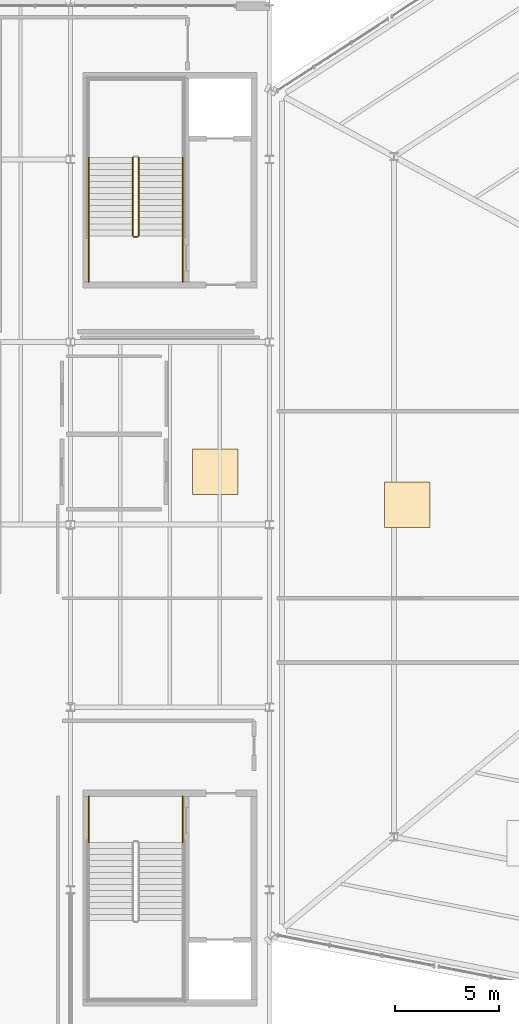
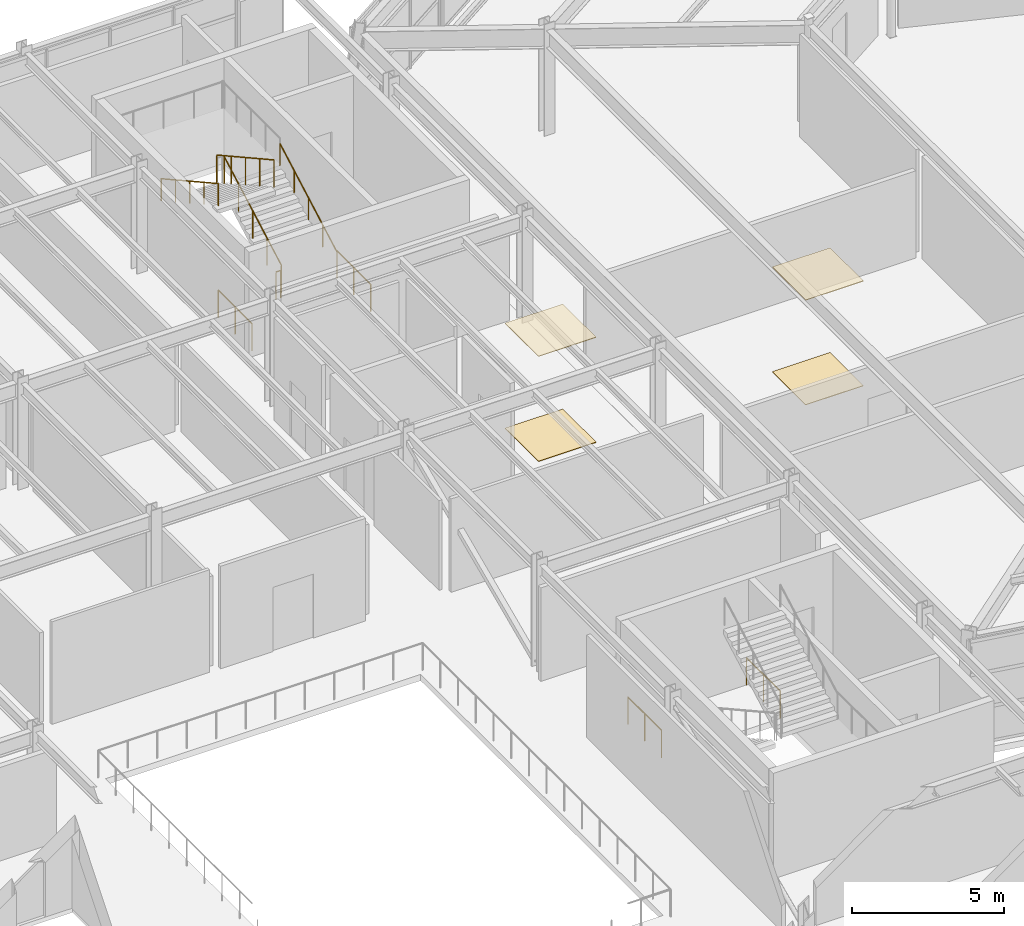
# One storey, part 74 of 77: 9 railings, 4 coverings.
"""IFC4 building model written with IfcOpenShell, lengths in metres."""

import ifcopenshell
import ifcopenshell.guid

model = None  # the IFC model being written
_history = None  # IfcOwnerHistory: only IFC2X3 demands one
_inside = {}  # id of a spatial element -> (the spatial element, [elements in it])
_under = {}  # id of a project, library or spatial element -> (it, [spatial elements below it])
_declared = {}  # id of a project -> (the project, [libraries it declares])
_typed = {}  # id of a type object -> (the type object, [elements of that type])
_made_of = {}  # id of a material, layer set ... -> (it, [elements and type objects made of it])


def new_model(schema):
    """Start an empty IFC model of exactly this schema.

    Asked for "IFC4X3", IfcOpenShell would pick the latest addendum, in which some entities
    have other attributes; the version numbers below select the first issue.
    IFC2X3 requires an IfcOwnerHistory on every rooted entity: one is made here for all.
    """
    global model, _history
    if schema == "IFC4X3":
        model = ifcopenshell.file(schema_version=(4, 3, 0, 0))
    else:
        model = ifcopenshell.file(schema=schema)
    _inside.clear()
    _under.clear()
    _declared.clear()
    _typed.clear()
    _made_of.clear()
    _history = None
    if model.schema == "IFC2X3":
        org = make("IfcOrganization", Name="unknown")
        user = make(
            "IfcPersonAndOrganization",
            ThePerson=make("IfcPerson", FamilyName="unknown"),
            TheOrganization=org,
        )
        app = make(
            "IfcApplication",
            ApplicationDeveloper=org,
            Version="unknown",
            ApplicationFullName="unknown",
            ApplicationIdentifier="unknown",
        )
        _history = make(
            "IfcOwnerHistory",
            OwningUser=user,
            OwningApplication=app,
            ChangeAction="ADDED",
            CreationDate=0,
        )
    return model


def make(cls, **values):
    """One entity of the class cls with the attributes given. An attribute that is None is left unset."""
    return model.create_entity(
        cls, **{name: value for name, value in values.items() if value is not None}
    )


def rooted(cls, **values):
    """An entity with a GlobalId (a new one), such as an element, a storey or a relation."""
    return make(cls, GlobalId=ifcopenshell.guid.new(), OwnerHistory=_history, **values)


def si_unit(unit_type, name, prefix=None):
    """IfcSIUnit, for example si_unit("LENGTHUNIT", "METRE", prefix="MILLI")."""
    return make("IfcSIUnit", UnitType=unit_type, Prefix=prefix, Name=name)


def assignment(units):
    """IfcUnitAssignment: the units of a project."""
    return None if units is None else make("IfcUnitAssignment", Units=units)


def point(xyz):
    """IfcCartesianPoint."""
    return None if xyz is None else make("IfcCartesianPoint", Coordinates=xyz)


def direction(xyz):
    """IfcDirection."""
    return None if xyz is None else make("IfcDirection", DirectionRatios=xyz)


def frame(location, z_axis=None, x_axis=None):
    """IfcAxis2Placement3D, a coordinate frame: its origin and axes. An axis left out is left unset."""
    return make(
        "IfcAxis2Placement3D",
        Location=point(location),
        Axis=direction(z_axis),
        RefDirection=direction(x_axis),
    )


def frame_2d(location, x_axis=None):
    """IfcAxis2Placement2D, a coordinate frame in the plane: its origin and x axis."""
    return make(
        "IfcAxis2Placement2D", Location=point(location), RefDirection=direction(x_axis)
    )


def origin():
    """The frame at (0, 0, 0) with its axes left unset."""
    return frame((0.0, 0.0, 0.0))


def origin_2d():
    """The frame at (0, 0) in the plane with its x axis left unset."""
    return frame_2d((0.0, 0.0))


def place(relative_to, where):
    """IfcLocalPlacement: puts the frame where relative to a parent placement (None: the world)."""
    return make(
        "IfcLocalPlacement", PlacementRelTo=relative_to, RelativePlacement=where
    )


def context(
    kind, dimensions, precision=None, world=None, true_north=None, identifier=None
):
    """IfcGeometricRepresentationContext, for example the 3D "Model" context."""
    return make(
        "IfcGeometricRepresentationContext",
        ContextIdentifier=identifier,
        ContextType=kind,
        CoordinateSpaceDimension=dimensions,
        Precision=precision,
        WorldCoordinateSystem=world,
        TrueNorth=true_north,
    )


def subcontext(parent, identifier, kind, view, scale=None):
    """IfcGeometricRepresentationSubContext, for example "Body" below "Model"."""
    return make(
        "IfcGeometricRepresentationSubContext",
        ContextIdentifier=identifier,
        ContextType=kind,
        ParentContext=parent,
        TargetScale=scale,
        TargetView=view,
    )


def project(units=None, contexts=None):
    """IfcProject with its units and contexts."""
    return rooted(
        "IfcProject",
        Name="project",
        RepresentationContexts=contexts,
        UnitsInContext=assignment(units),
    )


def spatial(cls, under=None, at=None, **own):
    """A site, building, storey or space (cls), placed at a placement, below another one or the project."""
    s = rooted(cls, ObjectPlacement=at, **own)
    if under is not None:
        _under.setdefault(under.id(), (under, []))[1].append(s)
    return s


def profile(cls, at=None, kind="AREA", **sizes):
    """A parametric profile (cls). Its sizes go by their IFC names, for example OverallWidth=200.0."""
    return make(cls, ProfileType=kind, Position=at, **sizes)


def rectangle(**sizes):
    """IfcRectangleProfileDef."""
    return profile("IfcRectangleProfileDef", **sizes)


def circle(**sizes):
    """IfcCircleProfileDef."""
    return profile("IfcCircleProfileDef", **sizes)


def extrude(swept, where, along, depth):
    """IfcExtrudedAreaSolid: the profile swept, set in the frame where, extruded along a direction by depth."""
    return make(
        "IfcExtrudedAreaSolid",
        SweptArea=swept,
        Position=where,
        ExtrudedDirection=direction(along),
        Depth=depth,
    )


def shape(context_of_items, identifier, shape_type, items):
    """IfcShapeRepresentation: the items that make up one representation, for example the "Body"."""
    return make(
        "IfcShapeRepresentation",
        ContextOfItems=context_of_items,
        RepresentationIdentifier=identifier,
        RepresentationType=shape_type,
        Items=items,
    )


def material(Name=None, Category=None):
    """IfcMaterial."""
    return make("IfcMaterial", Name=Name, Category=Category)


def layer(
    of_material, thickness, ventilated=None, Name=None, Category=None, Priority=None
):
    """IfcMaterialLayer: one layer of a wall or slab, of a material (None: an air gap)."""
    return make(
        "IfcMaterialLayer",
        Material=of_material,
        LayerThickness=thickness,
        IsVentilated=ventilated,
        Name=Name,
        Category=Category,
        Priority=Priority,
    )


def layer_set(layers, Name=None):
    """IfcMaterialLayerSet."""
    return make("IfcMaterialLayerSet", MaterialLayers=layers, LayerSetName=Name)


def made_of(thing, what):
    """Note that an element or type object is made of a material, layer set ...; save() writes the relation."""
    if what is not None:
        _made_of.setdefault(what.id(), (what, []))[1].append(thing)
    return thing


def type_object(cls, material=None, **own):
    """A type object (cls), such as IfcWallType, which elements share."""
    return made_of(rooted(cls, **own), material)


def element(
    cls,
    number,
    at=None,
    inside=None,
    cuts=None,
    type_object=None,
    material=None,
    context=None,
    identifier="Body",
    shape_type=None,
    held_by="IfcProductDefinitionShape",
    body=None,
    shapes=None,
    **own,
):
    """One element of the class cls, such as IfcWall. Its Tag is "e" and its number.

    at: its placement. inside: the storey or other place that contains it. cuts: it is an
    opening in that element (IfcRelVoidsElement). A single representation is given by context,
    identifier, shape_type and body (its items); several are given by shapes. held_by: the class
    of the entity that holds the representations. save() writes the other relations.
    """
    e = rooted(cls, Tag="e%d" % number, ObjectPlacement=at, **own)
    if body is not None:
        shapes = [shape(context, identifier, shape_type, body)]
    if shapes is not None:
        e.Representation = make(held_by, Representations=shapes)
    if inside is not None:
        _inside.setdefault(inside.id(), (inside, []))[1].append(e)
    if cuts is not None:
        rooted(
            "IfcRelVoidsElement", RelatingBuildingElement=cuts, RelatedOpeningElement=e
        )
    if type_object is not None:
        _typed.setdefault(type_object.id(), (type_object, []))[1].append(e)
    return made_of(e, material)


def aggregate(whole, parts):
    """IfcRelAggregates: a whole, such as a stair, and the parts it consists of."""
    return rooted("IfcRelAggregates", RelatingObject=whole, RelatedObjects=parts)


def save(model, path):
    """Write the relations noted so far, then the file.

    IfcRelAggregates (storeys below a building ...), IfcRelContainedInSpatialStructure (elements
    in a storey), IfcRelDefinesByType, IfcRelAssociatesMaterial and IfcRelDeclares: one each for
    every whole, place, type object, material and project.
    """
    for whole, parts in _under.values():
        aggregate(whole, parts)
    for where, things in _inside.values():
        rooted(
            "IfcRelContainedInSpatialStructure",
            RelatedElements=things,
            RelatingStructure=where,
        )
    for kind, things in _typed.values():
        rooted("IfcRelDefinesByType", RelatedObjects=things, RelatingType=kind)
    for what, things in _made_of.values():
        rooted("IfcRelAssociatesMaterial", RelatedObjects=things, RelatingMaterial=what)
    for by, libraries in _declared.values():
        rooted("IfcRelDeclares", RelatingContext=by, RelatedDefinitions=libraries)
    model.write(path)


model = new_model("IFC4")

# Units and contexts
model_context = context("Model", 3, precision=1e-05, world=origin(), true_north=direction((0.0, 1.0)))
body_context = subcontext(model_context, "Body", "Model", "MODEL_VIEW")
ifc_project = project(units=[si_unit("LENGTHUNIT", "METRE"), si_unit("AREAUNIT", "SQUARE_METRE"), si_unit("VOLUMEUNIT", "CUBIC_METRE"), si_unit("PLANEANGLEUNIT", "RADIAN"), si_unit("MASSUNIT", "GRAM", prefix="KILO")], contexts=[model_context])

# Site, building, storey
site_placement = place(None, origin())
site = spatial("IfcSite", under=ifc_project, at=site_placement, CompositionType="ELEMENT")
building_placement = place(site_placement, origin())
building = spatial("IfcBuilding", under=site, at=building_placement, Name="Sarnbrook Museum", CompositionType="ELEMENT")
storey_placement = place(building_placement, frame((0.0, 0.0, 5.60009765625)))
storey = spatial("IfcBuildingStorey", under=building, at=storey_placement, Name="L01", CompositionType="ELEMENT", Elevation=5.60009765625)

# Coverings
ifc_material_1 = material(Name="Tasmanian Oak Acoustic Timber", Category="wood")
ifc_layer_1 = layer(ifc_material_1, 0.02490234375)
ifc_layer_set_1 = layer_set([ifc_layer_1], Name="Tasmanian Oak Acoustic Timber")
covering_type_1 = type_object("IfcCoveringType", Name="Ceil_Timber25", PredefinedType="CEILING", material=ifc_layer_set_1)
for number, where, z_axis, x_axis, name in (
    (1, (125.840087890625, 84.156494140625, 4.21484375), (0.0, 0.0, 1.0), (1.0, 0.0, 0.0), "Acoustic Ceiling Baffle Panel L01-17"),
    (2, (116.580078125, 85.75, 4.224853515625), (0.0, 0.0, 1.0), (1.0, 0.0, 0.0), "Acoustic Ceiling Baffle Panel L01-23"),
):
    element("IfcCovering", number, at=place(storey_placement, frame(where, z_axis=z_axis, x_axis=x_axis)), inside=storey, type_object=covering_type_1, Name=name, PredefinedType="CEILING", context=body_context, shape_type="SweptSolid", body=[
        extrude(rectangle(XDim=2.199951171875, YDim=2.199951171875, at=origin_2d()), origin(), (0.0, 0.0, 1.0), 0.02490234375),
    ])
ifc_layer_2 = layer(ifc_material_1, 0.02197265625)
ifc_layer_set_2 = layer_set([ifc_layer_2], Name="Tasmanian Oak Acoustic Timber")
covering_type_2 = type_object("IfcCoveringType", Name="Floor_Oak22", PredefinedType="FLOORING", material=ifc_layer_set_2)
for number, where, z_axis, x_axis, name in (
    (3, (125.840087890625, 84.156494140625, 0.0), (0.0, 0.0, 1.0), (1.0, 0.0, 0.0), "Gallery Floor Finish Panel L01-17"),
    (4, (116.580078125, 85.75, 0.0), (0.0, 0.0, 1.0), (1.0, 0.0, 0.0), "Gallery Floor Finish Panel L01-23"),
):
    element("IfcCovering", number, at=place(storey_placement, frame(where, z_axis=z_axis, x_axis=x_axis)), inside=storey, type_object=covering_type_2, Name=name, PredefinedType="FLOORING", context=body_context, shape_type="SweptSolid", body=[
        extrude(rectangle(XDim=2.199951171875, YDim=2.199951171875, at=origin_2d()), origin(), (0.0, 0.0, 1.0), 0.02197265625),
    ])

# Railings
ifc_material_2 = material(Name="Brushed Stainless Steel Grade 316", Category="steel")
ifc_layer_3 = layer(ifc_material_2, 0.050048828125)
ifc_layer_set_3 = layer_set([ifc_layer_3], Name="Brushed Stainless Steel Grade 316")
railing_type_1 = type_object("IfcRailingType", Name="Guard_Int1120", PredefinedType="BALUSTRADE", material=ifc_layer_set_3)
for number, where, name in (
    (5, (110.489990234375, 70.10009765625, 0.0), "L01 ST1 stair guard 8"),
    (6, (115.010009765625, 70.10009765625, 0.0), "L01 ST1 stair guard 9"),
):
    element("IfcRailing", number, at=place(storey_placement, frame(where)), inside=storey, type_object=railing_type_1, Name=name, PredefinedType="BALUSTRADE", context=body_context, shape_type="SweptSolid", body=[
        extrude(circle(Radius=0.02392578125, at=origin_2d()), frame((0.0, 0.0, 1.09619140625), z_axis=(0.0, -1.0, 0.0), x_axis=(1.0, 0.0, 0.0)), (0.0, 0.0, 1.0), 2.22021484375),
        extrude(circle(Radius=0.02099609375, at=origin_2d()), origin(), (0.0, 0.0, 1.0), 1.072021484375),
        extrude(circle(Radius=0.02099609375, at=origin_2d()), frame((0.0, -1.110107421875, 0.0)), (0.0, 0.0, 1.0), 1.072021484375),
        extrude(circle(Radius=0.02099609375, at=origin_2d()), frame((0.0, -2.22021484375, 0.0)), (0.0, 0.0, 1.0), 1.072021484375),
    ])
railing_1_placement = place(storey_placement, frame((112.889892578125, 97.1201171875, 0.16064453125)))
element("IfcRailing", 7, at=railing_1_placement, inside=storey, type_object=railing_type_1, Name="L01 ST2 stair guard 1", PredefinedType="BALUSTRADE", context=body_context, shape_type="SweptSolid", body=[
    extrude(circle(Radius=0.02392578125, at=origin_2d()), frame((0.0, 0.0, 1.09619140625), z_axis=(0.0, 0.874645791573, 0.484762559697), x_axis=(-1.0, 0.0, 0.0)), (0.0, 0.0, 1.0), 4.31005859375),
    extrude(circle(Radius=0.02099609375, at=origin_2d()), origin(), (0.0, 0.0, 1.0), 1.072021484375),
    extrude(circle(Radius=0.02099609375, at=origin_2d()), frame((0.0, 0.9423828125, 0.5224609375)), (0.0, 0.0, 1.0), 1.072021484375),
    extrude(circle(Radius=0.02099609375, at=origin_2d()), frame((0.0, 1.884765625, 1.044677734375)), (0.0, 0.0, 1.0), 1.072021484375),
    extrude(circle(Radius=0.02099609375, at=origin_2d()), frame((0.0, 2.827392578125, 1.56689453125)), (0.0, 0.0, 1.0), 1.072021484375),
    extrude(circle(Radius=0.02099609375, at=origin_2d()), frame((0.0, 3.769775390625, 2.08935546875)), (0.0, 0.0, 1.0), 1.072021484375),
])
railing_2_placement = place(storey_placement, frame((112.610107421875, 100.889892578125, 2.41064453125)))
element("IfcRailing", 8, at=railing_2_placement, inside=storey, type_object=railing_type_1, Name="L01 ST2 stair guard 6", PredefinedType="BALUSTRADE", context=body_context, shape_type="SweptSolid", body=[
    extrude(circle(Radius=0.02392578125, at=origin_2d()), frame((0.0, 0.0, 1.09619140625), z_axis=(0.0, -0.874645791573, 0.484762559697), x_axis=(1.0, 0.0, 0.0)), (0.0, 0.0, 1.0), 4.31005859375),
    extrude(circle(Radius=0.02099609375, at=origin_2d()), origin(), (0.0, 0.0, 1.0), 1.072021484375),
    extrude(circle(Radius=0.02099609375, at=origin_2d()), frame((0.0, -0.9423828125, 0.5224609375)), (0.0, 0.0, 1.0), 1.072021484375),
    extrude(circle(Radius=0.02099609375, at=origin_2d()), frame((0.0, -1.884765625, 1.044677734375)), (0.0, 0.0, 1.0), 1.072021484375),
    extrude(circle(Radius=0.02099609375, at=origin_2d()), frame((0.0, -2.827392578125, 1.56689453125)), (0.0, 0.0, 1.0), 1.072021484375),
    extrude(circle(Radius=0.02099609375, at=origin_2d()), frame((0.0, -3.769775390625, 2.08935546875)), (0.0, 0.0, 1.0), 1.072021484375),
])
railing_3_placement = place(storey_placement, frame((112.840087890625, 97.070068359375, 0.0)))
element("IfcRailing", 9, at=railing_3_placement, inside=storey, type_object=railing_type_1, Name="L01 ST2 stair guard 7", PredefinedType="BALUSTRADE", context=body_context, shape_type="SweptSolid", body=[
    extrude(circle(Radius=0.02392578125, at=origin_2d()), frame((0.0, 0.0, 1.09619140625), z_axis=(-1.0, 0.0, 0.0), x_axis=(0.0, -1.0, 0.0)), (0.0, 0.0, 1.0), 0.18017578125),
    extrude(circle(Radius=0.02099609375, at=origin_2d()), origin(), (0.0, 0.0, 1.0), 1.072021484375),
    extrude(circle(Radius=0.02099609375, at=origin_2d()), frame((-0.18017578125, 0.0, 0.0)), (0.0, 0.0, 1.0), 1.072021484375),
])
for number, where, name in (
    (10, (115.010009765625, 94.89990234375, 0.0), "L01 ST2 stair guard 8"),
    (11, (110.489990234375, 94.89990234375, 0.0), "L01 ST2 stair guard 9"),
):
    element("IfcRailing", number, at=place(storey_placement, frame(where)), inside=storey, type_object=railing_type_1, Name=name, PredefinedType="BALUSTRADE", context=body_context, shape_type="SweptSolid", body=[
        extrude(circle(Radius=0.02392578125, at=origin_2d()), frame((0.0, 0.0, 1.09619140625), z_axis=(0.0, 1.0, 0.0), x_axis=(-1.0, 0.0, 0.0)), (0.0, 0.0, 1.0), 2.22021484375),
        extrude(circle(Radius=0.02099609375, at=origin_2d()), origin(), (0.0, 0.0, 1.0), 1.072021484375),
        extrude(circle(Radius=0.02099609375, at=origin_2d()), frame((0.0, 1.110107421875, 0.0)), (0.0, 0.0, 1.0), 1.072021484375),
        extrude(circle(Radius=0.02099609375, at=origin_2d()), frame((0.0, 2.22021484375, 0.0)), (0.0, 0.0, 1.0), 1.072021484375),
    ])
ifc_layer_4 = layer(ifc_material_2, 0.048095703125)
ifc_layer_set_4 = layer_set([ifc_layer_4], Name="Brushed Stainless Steel Grade 316")
railing_type_2 = type_object("IfcRailingType", Name="Handrail_920", PredefinedType="HANDRAIL", material=ifc_layer_set_4)
railing_4_placement = place(storey_placement, frame((115.010009765625, 97.1201171875, 0.16064453125)))
element("IfcRailing", 12, at=railing_4_placement, inside=storey, type_object=railing_type_2, Name="L01 ST2 stair handrail 1", PredefinedType="HANDRAIL", context=body_context, shape_type="SweptSolid", body=[
    extrude(circle(Radius=0.02392578125, at=origin_2d()), frame((0.0, 0.0, 0.8857421875), z_axis=(0.0, 0.874645791573, 0.484762559697), x_axis=(-1.0, 0.0, 0.0)), (0.0, 0.0, 1.0), 4.31005859375),
    extrude(circle(Radius=0.02099609375, at=origin_2d()), origin(), (0.0, 0.0, 1.0), 0.86181640625),
    extrude(circle(Radius=0.02099609375, at=origin_2d()), frame((0.0, 0.9423828125, 0.5224609375)), (0.0, 0.0, 1.0), 0.86181640625),
    extrude(circle(Radius=0.02099609375, at=origin_2d()), frame((0.0, 1.884765625, 1.044677734375)), (0.0, 0.0, 1.0), 0.86181640625),
    extrude(circle(Radius=0.02099609375, at=origin_2d()), frame((0.0, 2.827392578125, 1.56689453125)), (0.0, 0.0, 1.0), 0.86181640625),
    extrude(circle(Radius=0.02099609375, at=origin_2d()), frame((0.0, 3.769775390625, 2.08935546875)), (0.0, 0.0, 1.0), 0.86181640625),
])
railing_5_placement = place(storey_placement, frame((110.489990234375, 100.889892578125, 2.41064453125)))
element("IfcRailing", 13, at=railing_5_placement, inside=storey, type_object=railing_type_2, Name="L01 ST2 stair handrail 2", PredefinedType="HANDRAIL", context=body_context, shape_type="SweptSolid", body=[
    extrude(circle(Radius=0.02392578125, at=origin_2d()), frame((0.0, 0.0, 0.8857421875), z_axis=(0.0, -0.874645791573, 0.484762559697), x_axis=(1.0, 0.0, 0.0)), (0.0, 0.0, 1.0), 4.31005859375),
    extrude(circle(Radius=0.02099609375, at=origin_2d()), origin(), (0.0, 0.0, 1.0), 0.86181640625),
    extrude(circle(Radius=0.02099609375, at=origin_2d()), frame((0.0, -0.9423828125, 0.5224609375)), (0.0, 0.0, 1.0), 0.86181640625),
    extrude(circle(Radius=0.02099609375, at=origin_2d()), frame((0.0, -1.884765625, 1.044677734375)), (0.0, 0.0, 1.0), 0.86181640625),
    extrude(circle(Radius=0.02099609375, at=origin_2d()), frame((0.0, -2.827392578125, 1.56689453125)), (0.0, 0.0, 1.0), 0.86181640625),
    extrude(circle(Radius=0.02099609375, at=origin_2d()), frame((0.0, -3.769775390625, 2.08935546875)), (0.0, 0.0, 1.0), 0.86181640625),
])

save(model, "model.ifc")
